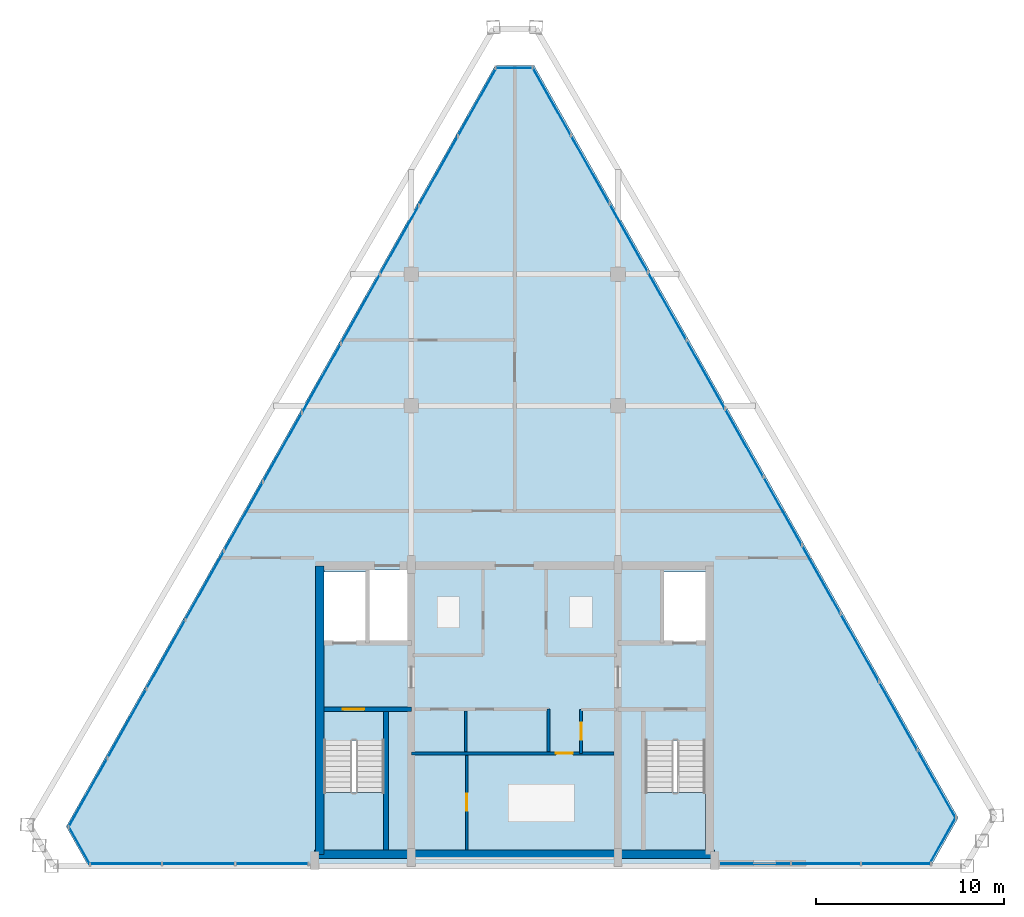
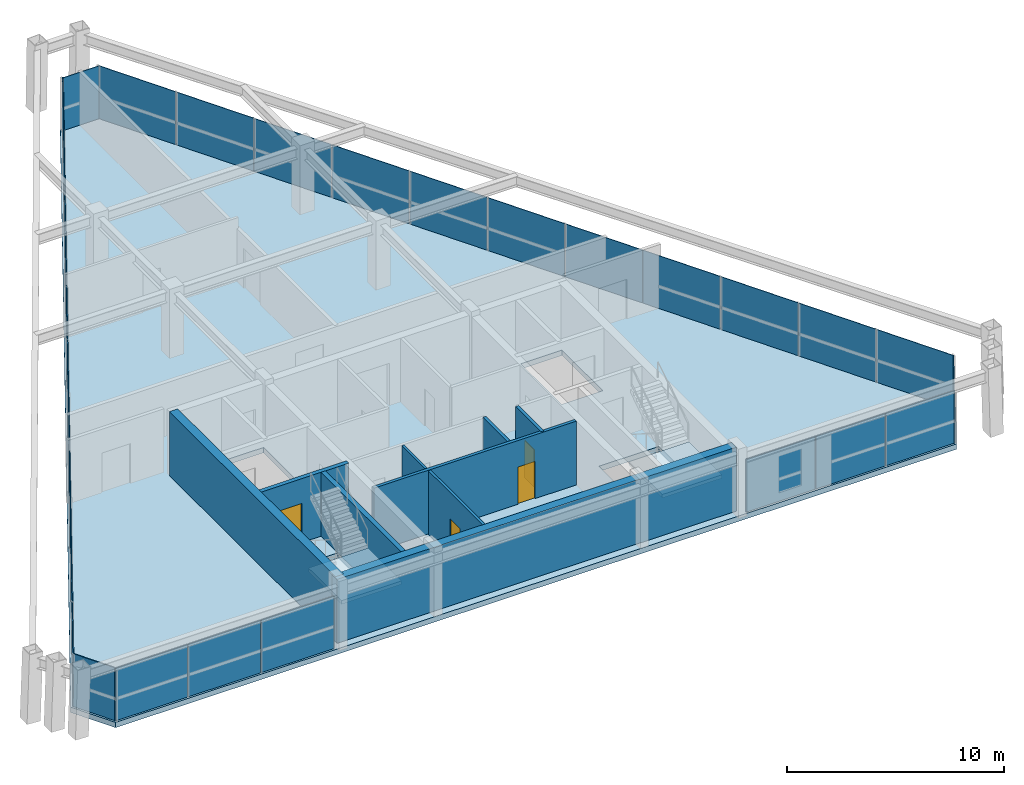
# One storey, part 9 of 12: 31 plates, 9 walls, 4 doors, 3 slabs, 4 openings, 9 elements without a shape of their own.
"""IFC4 building model written with IfcOpenShell, lengths in metres."""

from ifc_helpers import new_model, si_unit, direction, frame, frame_2d, origin, origin_2d, place, context, subcontext, project, spatial, polyline, rectangle, outline, extrude, source, transform, mapped, material, layer, layer_set, type_object, type_shapes, element, fill, aggregate, save


model = new_model("IFC4")

# Units and contexts
model_context = context("Model", 3, precision=1e-05, world=origin(), true_north=direction((0.0, 1.0)))
body_context = subcontext(model_context, "Body", "Model", "MODEL_VIEW")
ifc_project = project(units=[si_unit("LENGTHUNIT", "METRE"), si_unit("AREAUNIT", "SQUARE_METRE"), si_unit("VOLUMEUNIT", "CUBIC_METRE"), si_unit("PLANEANGLEUNIT", "RADIAN"), si_unit("MASSUNIT", "GRAM", prefix="KILO")], contexts=[model_context])

# Site, building, storey
site_placement = place(None, origin())
site = spatial("IfcSite", under=ifc_project, at=site_placement, CompositionType="ELEMENT")
building_placement = place(site_placement, origin())
building = spatial("IfcBuilding", under=site, at=building_placement, Name="Varnakhor Terracotta Tower", CompositionType="ELEMENT")
storey_placement = place(building_placement, frame((0.0, 0.0, 321.39990234375)))
storey = spatial("IfcBuildingStorey", under=building, at=storey_placement, Name="L84 Crown", CompositionType="ELEMENT", Elevation=321.39990234375)

# Stair, slab
ifc_material_1 = material(Name="Concrete C40/50", Category="concrete")
stair_type = type_object("IfcStairType", Name="STR-CORE-HOTEL-1500", PredefinedType="HALF_TURN_STAIR", material=ifc_material_1)
stair_1_placement = place(storey_placement, origin())
stair_1 = element("IfcStair", 1, at=stair_1_placement, inside=storey, type_object=stair_type, Name="L84 Crown Core Exit Stair ST-1", PredefinedType="HALF_TURN_STAIR")
ifc_layer_1 = layer(ifc_material_1, 0.179931640625, Name="Concrete C40/50")
ifc_layer_set_1 = layer_set([ifc_layer_1], Name="Concrete C40/50")
slab_type_1 = type_object("IfcSlabType", Name="SLB-LANDING-180", PredefinedType="LANDING", material=ifc_layer_set_1)
slab_1_placement = place(storey_placement, frame((0.0, 0.0, 1.75)))
slab_1 = element("IfcSlab", 2, at=slab_1_placement, type_object=slab_type_1, Name="ST-1 landing 1", PredefinedType="LANDING", context=body_context, shape_type="SweptSolid", body=[
    extrude(outline(polyline([(-10.14990234375, 3.909912109375), (-10.14990234375, 0.85009765625), (-6.949951171875, 0.85009765625), (-6.949951171875, 3.909912109375), (-10.14990234375, 3.909912109375)])), origin(), (0.0, 0.0, 1.0), 0.2001953125),
])
aggregate(stair_1, [slab_1])

stair_2_placement = place(storey_placement, origin())
stair_2 = element("IfcStair", 3, at=stair_2_placement, inside=storey, type_object=stair_type, Name="L84 Crown Core Exit Stair ST-2", PredefinedType="HALF_TURN_STAIR")
slab_2_placement = place(storey_placement, frame((0.0, 0.0, 1.75)))
slab_2 = element("IfcSlab", 4, at=slab_2_placement, type_object=slab_type_1, Name="ST-2 landing 1", PredefinedType="LANDING", context=body_context, shape_type="SweptSolid", body=[
    extrude(outline(polyline([(6.949951171875, 3.909912109375), (6.949951171875, 0.85009765625), (10.14990234375, 0.85009765625), (10.14990234375, 3.909912109375), (6.949951171875, 3.909912109375)])), origin(), (0.0, 0.0, 1.0), 0.2001953125),
])
aggregate(stair_2, [slab_2])

# Slab
ifc_layer_2 = layer(ifc_material_1, 0.300048828125, Name="Concrete C40/50")
ifc_layer_set_2 = layer_set([ifc_layer_2], Name="Concrete C40/50")
slab_type_2 = type_object("IfcSlabType", Name="SLB-PLANT-300", PredefinedType="FLOOR", material=ifc_layer_set_2)
slab_3_placement = place(storey_placement, frame((0.0, 0.0, -0.2998046875)))
element("IfcSlab", 5, at=slab_3_placement, inside=storey, type_object=slab_type_2, Name="L84 Crown Structural Floor Slab", PredefinedType="FLOOR", context=body_context, shape_type="SweptSolid", body=[
    extrude(outline(polyline([(-1.039794921875, 42.60498046875), (1.039794921875, 42.60498046875), (23.607177734375, 2.56689453125), (22.160400390625, 0.0), (-22.6865234375, 0.0), (-23.870361328125, 2.10009765625), (-1.039794921875, 42.60498046875)]), holes=[polyline([(-6.949951171875, 6.695068359375), (-10.14990234375, 6.695068359375), (-10.14990234375, 0.85009765625), (-6.949951171875, 0.85009765625), (-6.949951171875, 6.695068359375)]), polyline([(10.14990234375, 6.695068359375), (6.949951171875, 6.695068359375), (6.949951171875, 0.85009765625), (10.14990234375, 0.85009765625), (10.14990234375, 6.695068359375)]), polyline([(-7.949951171875, 15.64990234375), (-10.14990234375, 15.64990234375), (-10.14990234375, 11.8798828125), (-7.949951171875, 11.8798828125), (-7.949951171875, 15.64990234375)]), polyline([(10.14990234375, 11.8798828125), (10.14990234375, 15.64990234375), (7.949951171875, 15.64990234375), (7.949951171875, 11.8798828125), (10.14990234375, 11.8798828125)]), polyline([(-5.699951171875, 11.8798828125), (-5.699951171875, 15.75), (-7.72998046875, 15.75), (-7.72998046875, 11.8798828125), (-5.699951171875, 11.8798828125)])]), origin(), (0.0, 0.0, 1.0), 0.2998046875),
])

# Curtain wall, plates
ifc_material_2 = material(Name="Anodised Aluminium Curtain Wall System", Category="aluminium")
curtain_wall_type = type_object("IfcCurtainWallType", Name="CW-SYS-CROWN", PredefinedType="NOTDEFINED", material=ifc_material_2)
curtain_wall_1_placement = place(storey_placement, origin())
curtain_wall_1 = element("IfcCurtainWall", 6, at=curtain_wall_1_placement, inside=storey, type_object=curtain_wall_type, Name="L84 Crown Facet Curtain Wall 1", PredefinedType="NOTDEFINED")
ifc_material_3 = material(Name="Solar-Control Low-E Insulated Glass Panel", Category="glass")
ifc_layer_3 = layer(ifc_material_3, 0.0400390625, Name="Solar-Control Low-E Insulated Glass Panel")
ifc_layer_set_3 = layer_set([ifc_layer_3], Name="Solar-Control Low-E Insulated Glass Panel")
plate_type = type_object("IfcPlateType", Name="CWP-06", PredefinedType="CURTAIN_PANEL", material=ifc_layer_set_3)
shared_shape_1 = source(origin(), body_context, "Body", "SweptSolid", [
    extrude(rectangle(XDim=4.181396484375, YDim=0.035888671875, at=origin_2d()), origin(), (0.0, 0.0, 1.0), 2.97998046875),
])
plate_1_placement = place(storey_placement, frame((-22.714599609375, 3.90625, 0.0), z_axis=(0.0, 0.0, 1.0), x_axis=(0.491025393225, 0.871145259534, 0.0)))
plate_1 = element("IfcPlate", 7, at=plate_1_placement, type_object=plate_type, Name="L84 Crown Facet Curtain Wall 1 Glazed Panel 1", PredefinedType="CURTAIN_PANEL", context=body_context, shape_type="MappedRepresentation", body=[
    mapped(shared_shape_1, transform((0.0, 0.0, 0.0), scale=1.0)),
])
plate_2_placement = place(storey_placement, frame((-20.641845703125, 7.583740234375, 0.0), z_axis=(0.0, 0.0, 1.0), x_axis=(0.491025393225, 0.871145259534, 0.0)))
plate_2 = element("IfcPlate", 8, at=plate_2_placement, type_object=plate_type, Name="L84 Crown Facet Curtain Wall 1 Glazed Panel 2", PredefinedType="CURTAIN_PANEL", context=body_context, shape_type="MappedRepresentation", body=[
    mapped(shared_shape_1, transform((0.0, 0.0, 0.0), scale=1.0)),
])
plate_3_placement = place(storey_placement, frame((-18.569091796875, 11.26123046875, 0.0), z_axis=(0.0, 0.0, 1.0), x_axis=(0.491025393225, 0.871145259534, 0.0)))
plate_3 = element("IfcPlate", 9, at=plate_3_placement, type_object=plate_type, Name="L84 Crown Facet Curtain Wall 1 Glazed Panel 3", PredefinedType="CURTAIN_PANEL", context=body_context, shape_type="MappedRepresentation", body=[
    mapped(shared_shape_1, transform((0.0, 0.0, 0.0), scale=1.0)),
])
plate_4_placement = place(storey_placement, frame((-16.49609375, 14.938720703125, 0.0), z_axis=(0.0, 0.0, 1.0), x_axis=(0.491025393225, 0.871145259534, 0.0)))
plate_4 = element("IfcPlate", 10, at=plate_4_placement, type_object=plate_type, Name="L84 Crown Facet Curtain Wall 1 Glazed Panel 4", PredefinedType="CURTAIN_PANEL", context=body_context, shape_type="MappedRepresentation", body=[
    mapped(shared_shape_1, transform((0.0, 0.0, 0.0), scale=1.0)),
])
plate_5_placement = place(storey_placement, frame((-14.42333984375, 18.6162109375, 0.0), z_axis=(0.0, 0.0, 1.0), x_axis=(0.491025393225, 0.871145259534, 0.0)))
plate_5 = element("IfcPlate", 11, at=plate_5_placement, type_object=plate_type, Name="L84 Crown Facet Curtain Wall 1 Glazed Panel 5", PredefinedType="CURTAIN_PANEL", context=body_context, shape_type="MappedRepresentation", body=[
    mapped(shared_shape_1, transform((0.0, 0.0, 0.0), scale=1.0)),
])
plate_6_placement = place(storey_placement, frame((-12.3505859375, 22.293701171875, 0.0), z_axis=(0.0, 0.0, 1.0), x_axis=(0.491025393225, 0.871145259534, 0.0)))
plate_6 = element("IfcPlate", 12, at=plate_6_placement, type_object=plate_type, Name="L84 Crown Facet Curtain Wall 1 Glazed Panel 6", PredefinedType="CURTAIN_PANEL", context=body_context, shape_type="MappedRepresentation", body=[
    mapped(shared_shape_1, transform((0.0, 0.0, 0.0), scale=1.0)),
])
plate_7_placement = place(storey_placement, frame((-10.277587890625, 25.97119140625, 0.0), z_axis=(0.0, 0.0, 1.0), x_axis=(0.491025393225, 0.871145259534, 0.0)))
plate_7 = element("IfcPlate", 13, at=plate_7_placement, type_object=plate_type, Name="L84 Crown Facet Curtain Wall 1 Glazed Panel 7", PredefinedType="CURTAIN_PANEL", context=body_context, shape_type="MappedRepresentation", body=[
    mapped(shared_shape_1, transform((0.0, 0.0, 0.0), scale=1.0)),
])
plate_8_placement = place(storey_placement, frame((-8.204833984375, 29.648681640625, 0.0), z_axis=(0.0, 0.0, 1.0), x_axis=(0.491025393225, 0.871145259534, 0.0)))
plate_8 = element("IfcPlate", 14, at=plate_8_placement, type_object=plate_type, Name="L84 Crown Facet Curtain Wall 1 Glazed Panel 8", PredefinedType="CURTAIN_PANEL", context=body_context, shape_type="MappedRepresentation", body=[
    mapped(shared_shape_1, transform((0.0, 0.0, 0.0), scale=1.0)),
])
plate_9_placement = place(storey_placement, frame((-6.132080078125, 33.326416015625, 0.0), z_axis=(0.0, 0.0, 1.0), x_axis=(0.491025393225, 0.871145259534, 0.0)))
plate_9 = element("IfcPlate", 15, at=plate_9_placement, type_object=plate_type, Name="L84 Crown Facet Curtain Wall 1 Glazed Panel 9", PredefinedType="CURTAIN_PANEL", context=body_context, shape_type="MappedRepresentation", body=[
    mapped(shared_shape_1, transform((0.0, 0.0, 0.0), scale=1.0)),
])
plate_10_placement = place(storey_placement, frame((-4.05908203125, 37.003662109375, 0.0), z_axis=(0.0, 0.0, 1.0), x_axis=(0.491025393225, 0.871145259534, 0.0)))
plate_10 = element("IfcPlate", 16, at=plate_10_placement, type_object=plate_type, Name="L84 Crown Facet Curtain Wall 1 Glazed Panel 10", PredefinedType="CURTAIN_PANEL", context=body_context, shape_type="MappedRepresentation", body=[
    mapped(shared_shape_1, transform((0.0, 0.0, 0.0), scale=1.0)),
])
plate_11_placement = place(storey_placement, frame((-1.986328125, 40.681396484375, 0.0), z_axis=(0.0, 0.0, 1.0), x_axis=(0.491025393225, 0.871145259534, 0.0)))
plate_11 = element("IfcPlate", 17, at=plate_11_placement, type_object=plate_type, Name="L84 Crown Facet Curtain Wall 1 Glazed Panel 11", PredefinedType="CURTAIN_PANEL", context=body_context, shape_type="MappedRepresentation", body=[
    mapped(shared_shape_1, transform((0.0, 0.0, 0.0), scale=1.0)),
])
aggregate(curtain_wall_1, [plate_1, plate_2, plate_3, plate_4, plate_5, plate_6, plate_7, plate_8, plate_9, plate_10, plate_11])

# Curtain wall, plate
curtain_wall_2_placement = place(storey_placement, origin())
curtain_wall_2 = element("IfcCurtainWall", 18, at=curtain_wall_2_placement, inside=storey, type_object=curtain_wall_type, Name="L84 Crown Facet Curtain Wall 2", PredefinedType="NOTDEFINED")
shared_shape_2 = source(origin(), body_context, "Body", "SweptSolid", [
    extrude(rectangle(XDim=1.9794921875, YDim=0.035888671875, at=origin_2d()), origin(), (0.0, 0.0, 1.0), 2.97998046875),
])
plate_12_placement = place(storey_placement, frame((0.0, 42.485107421875, 0.0), z_axis=(0.0, 0.0, 1.0), x_axis=(1.0, 0.0, 0.0)))
plate_12 = element("IfcPlate", 19, at=plate_12_placement, type_object=plate_type, Name="L84 Crown Facet Curtain Wall 2 Glazed Panel 1", PredefinedType="CURTAIN_PANEL", context=body_context, shape_type="MappedRepresentation", body=[
    mapped(shared_shape_2, transform((0.0, 0.0, 0.0), scale=1.0)),
])
aggregate(curtain_wall_2, [plate_12])

# Curtain wall, plates
curtain_wall_3_placement = place(storey_placement, origin())
curtain_wall_3 = element("IfcCurtainWall", 20, at=curtain_wall_3_placement, inside=storey, type_object=curtain_wall_type, Name="L84 Crown Facet Curtain Wall 3", PredefinedType="NOTDEFINED")
shared_shape_3 = source(origin(), body_context, "Body", "SweptSolid", [
    extrude(rectangle(XDim=4.1328125, YDim=0.035888671875, at=origin_2d()), origin(), (0.0, 0.0, 1.0), 2.97998046875),
])
plate_13_placement = place(storey_placement, frame((1.974365234375, 40.702392578125, 0.0), z_axis=(0.0, 0.0, 1.0), x_axis=(0.491025393225, -0.871145259534, 0.0)))
plate_13 = element("IfcPlate", 21, at=plate_13_placement, type_object=plate_type, Name="L84 Crown Facet Curtain Wall 3 Glazed Panel 1", PredefinedType="CURTAIN_PANEL", context=body_context, shape_type="MappedRepresentation", body=[
    mapped(shared_shape_3, transform((0.0, 0.0, 0.0), scale=1.0)),
])
plate_14_placement = place(storey_placement, frame((4.023193359375, 37.0673828125, 0.0), z_axis=(0.0, 0.0, 1.0), x_axis=(0.491025393225, -0.871145259534, 0.0)))
plate_14 = element("IfcPlate", 22, at=plate_14_placement, type_object=plate_type, Name="L84 Crown Facet Curtain Wall 3 Glazed Panel 2", PredefinedType="CURTAIN_PANEL", context=body_context, shape_type="MappedRepresentation", body=[
    mapped(shared_shape_3, transform((0.0, 0.0, 0.0), scale=1.0)),
])
plate_15_placement = place(storey_placement, frame((6.072021484375, 33.432373046875, 0.0), z_axis=(0.0, 0.0, 1.0), x_axis=(0.491025393225, -0.871145259534, 0.0)))
plate_15 = element("IfcPlate", 23, at=plate_15_placement, type_object=plate_type, Name="L84 Crown Facet Curtain Wall 3 Glazed Panel 3", PredefinedType="CURTAIN_PANEL", context=body_context, shape_type="MappedRepresentation", body=[
    mapped(shared_shape_3, transform((0.0, 0.0, 0.0), scale=1.0)),
])
plate_16_placement = place(storey_placement, frame((8.12109375, 29.797119140625, 0.0), z_axis=(0.0, 0.0, 1.0), x_axis=(0.491025393225, -0.871145259534, 0.0)))
plate_16 = element("IfcPlate", 24, at=plate_16_placement, type_object=plate_type, Name="L84 Crown Facet Curtain Wall 3 Glazed Panel 4", PredefinedType="CURTAIN_PANEL", context=body_context, shape_type="MappedRepresentation", body=[
    mapped(shared_shape_3, transform((0.0, 0.0, 0.0), scale=1.0)),
])
plate_17_placement = place(storey_placement, frame((10.169921875, 26.162109375, 0.0), z_axis=(0.0, 0.0, 1.0), x_axis=(0.491025393225, -0.871145259534, 0.0)))
plate_17 = element("IfcPlate", 25, at=plate_17_placement, type_object=plate_type, Name="L84 Crown Facet Curtain Wall 3 Glazed Panel 5", PredefinedType="CURTAIN_PANEL", context=body_context, shape_type="MappedRepresentation", body=[
    mapped(shared_shape_3, transform((0.0, 0.0, 0.0), scale=1.0)),
])
plate_18_placement = place(storey_placement, frame((12.218994140625, 22.527099609375, 0.0), z_axis=(0.0, 0.0, 1.0), x_axis=(0.491025393225, -0.871145259534, 0.0)))
plate_18 = element("IfcPlate", 26, at=plate_18_placement, type_object=plate_type, Name="L84 Crown Facet Curtain Wall 3 Glazed Panel 6", PredefinedType="CURTAIN_PANEL", context=body_context, shape_type="MappedRepresentation", body=[
    mapped(shared_shape_3, transform((0.0, 0.0, 0.0), scale=1.0)),
])
plate_19_placement = place(storey_placement, frame((14.267822265625, 18.89208984375, 0.0), z_axis=(0.0, 0.0, 1.0), x_axis=(0.491025393225, -0.871145259534, 0.0)))
plate_19 = element("IfcPlate", 27, at=plate_19_placement, type_object=plate_type, Name="L84 Crown Facet Curtain Wall 3 Glazed Panel 7", PredefinedType="CURTAIN_PANEL", context=body_context, shape_type="MappedRepresentation", body=[
    mapped(shared_shape_3, transform((0.0, 0.0, 0.0), scale=1.0)),
])
plate_20_placement = place(storey_placement, frame((16.316650390625, 15.2568359375, 0.0), z_axis=(0.0, 0.0, 1.0), x_axis=(0.491025393225, -0.871145259534, 0.0)))
plate_20 = element("IfcPlate", 28, at=plate_20_placement, type_object=plate_type, Name="L84 Crown Facet Curtain Wall 3 Glazed Panel 8", PredefinedType="CURTAIN_PANEL", context=body_context, shape_type="MappedRepresentation", body=[
    mapped(shared_shape_3, transform((0.0, 0.0, 0.0), scale=1.0)),
])
plate_21_placement = place(storey_placement, frame((18.36572265625, 11.621826171875, 0.0), z_axis=(0.0, 0.0, 1.0), x_axis=(0.491025393225, -0.871145259534, 0.0)))
plate_21 = element("IfcPlate", 29, at=plate_21_placement, type_object=plate_type, Name="L84 Crown Facet Curtain Wall 3 Glazed Panel 9", PredefinedType="CURTAIN_PANEL", context=body_context, shape_type="MappedRepresentation", body=[
    mapped(shared_shape_3, transform((0.0, 0.0, 0.0), scale=1.0)),
])
plate_22_placement = place(storey_placement, frame((20.41455078125, 7.98681640625, 0.0), z_axis=(0.0, 0.0, 1.0), x_axis=(0.491025393225, -0.871145259534, 0.0)))
plate_22 = element("IfcPlate", 30, at=plate_22_placement, type_object=plate_type, Name="L84 Crown Facet Curtain Wall 3 Glazed Panel 10", PredefinedType="CURTAIN_PANEL", context=body_context, shape_type="MappedRepresentation", body=[
    mapped(shared_shape_3, transform((0.0, 0.0, 0.0), scale=1.0)),
])
plate_23_placement = place(storey_placement, frame((22.46337890625, 4.351806640625, 0.0), z_axis=(0.0, 0.0, 1.0), x_axis=(0.491025393225, -0.871145259534, 0.0)))
plate_23 = element("IfcPlate", 31, at=plate_23_placement, type_object=plate_type, Name="L84 Crown Facet Curtain Wall 3 Glazed Panel 11", PredefinedType="CURTAIN_PANEL", context=body_context, shape_type="MappedRepresentation", body=[
    mapped(shared_shape_3, transform((0.0, 0.0, 0.0), scale=1.0)),
])
aggregate(curtain_wall_3, [plate_13, plate_14, plate_15, plate_16, plate_17, plate_18, plate_19, plate_20, plate_21, plate_22, plate_23])

# Curtain wall, plate
curtain_wall_4_placement = place(storey_placement, origin())
curtain_wall_4 = element("IfcCurtainWall", 32, at=curtain_wall_4_placement, inside=storey, type_object=curtain_wall_type, Name="L84 Crown Facet Curtain Wall 4", PredefinedType="NOTDEFINED")
shared_shape_4 = source(origin(), body_context, "Body", "SweptSolid", [
    extrude(rectangle(XDim=2.8466796875, YDim=0.035888671875, at=origin_2d()), origin(), (0.0, 0.0, 1.0), 2.97998046875),
])
plate_24_placement = place(storey_placement, frame((22.779296875, 1.342529296875, 0.0), z_axis=(0.0, 0.0, 1.0), x_axis=(-0.491025393225, -0.871145259534, 0.0)))
plate_24 = element("IfcPlate", 33, at=plate_24_placement, type_object=plate_type, Name="L84 Crown Facet Curtain Wall 4 Glazed Panel 1", PredefinedType="CURTAIN_PANEL", context=body_context, shape_type="MappedRepresentation", body=[
    mapped(shared_shape_4, transform((0.0, 0.0, 0.0), scale=1.0)),
])
aggregate(curtain_wall_4, [plate_24])

# Curtain wall, plates
curtain_wall_5_placement = place(storey_placement, origin())
curtain_wall_5 = element("IfcCurtainWall", 34, at=curtain_wall_5_placement, inside=storey, type_object=curtain_wall_type, Name="L84 Crown South Wing Curtain Wall SSE", PredefinedType="NOTDEFINED")
shared_shape_5 = source(origin(), body_context, "Body", "SweptSolid", [
    extrude(rectangle(XDim=3.686767578125, YDim=0.035888671875, at=origin_2d()), origin(), (0.0, 0.0, 1.0), 2.97998046875),
])
plate_25_placement = place(storey_placement, frame((20.286865234375, 0.1201171875, 0.0), z_axis=(0.0, 0.0, 1.0), x_axis=(-1.0, 0.0, 0.0)))
plate_25 = element("IfcPlate", 35, at=plate_25_placement, type_object=plate_type, Name="L84 Crown South Wing Curtain Wall SSE Glazed Panel 1", PredefinedType="CURTAIN_PANEL", context=body_context, shape_type="MappedRepresentation", body=[
    mapped(shared_shape_5, transform((0.0, 0.0, 0.0), scale=1.0)),
])
plate_26_placement = place(storey_placement, frame((16.560302734375, 0.1201171875, 0.0), z_axis=(0.0, 0.0, 1.0), x_axis=(-1.0, 0.0, 0.0)))
plate_26 = element("IfcPlate", 36, at=plate_26_placement, type_object=plate_type, Name="L84 Crown South Wing Curtain Wall SSE Glazed Panel 2", PredefinedType="CURTAIN_PANEL", context=body_context, shape_type="MappedRepresentation", body=[
    mapped(shared_shape_5, transform((0.0, 0.0, 0.0), scale=1.0)),
])
plate_27_placement = place(storey_placement, frame((12.83349609375, 0.1201171875, 0.0), z_axis=(0.0, 0.0, 1.0), x_axis=(-1.0, 0.0, 0.0)))
plate_27 = element("IfcPlate", 37, at=plate_27_placement, type_object=plate_type, Name="L84 Crown South Wing Curtain Wall SSE Glazed Panel 3", PredefinedType="CURTAIN_PANEL", context=body_context, shape_type="MappedRepresentation", body=[
    mapped(shared_shape_5, transform((0.0, 0.0, 0.0), scale=1.0)),
])
aggregate(curtain_wall_5, [plate_25, plate_26, plate_27])

curtain_wall_6_placement = place(storey_placement, origin())
curtain_wall_6 = element("IfcCurtainWall", 38, at=curtain_wall_6_placement, inside=storey, type_object=curtain_wall_type, Name="L84 Crown South Wing Curtain Wall SSW", PredefinedType="NOTDEFINED")
shared_shape_6 = source(origin(), body_context, "Body", "SweptSolid", [
    extrude(rectangle(XDim=3.8623046875, YDim=0.035888671875, at=origin_2d()), origin(), (0.0, 0.0, 1.0), 2.97998046875),
])
plate_28_placement = place(storey_placement, frame((-12.921142578125, 0.1201171875, 0.0), z_axis=(0.0, 0.0, 1.0), x_axis=(-1.0, 0.0, 0.0)))
plate_28 = element("IfcPlate", 39, at=plate_28_placement, type_object=plate_type, Name="L84 Crown South Wing Curtain Wall SSW Glazed Panel 1", PredefinedType="CURTAIN_PANEL", context=body_context, shape_type="MappedRepresentation", body=[
    mapped(shared_shape_6, transform((0.0, 0.0, 0.0), scale=1.0)),
])
plate_29_placement = place(storey_placement, frame((-20.725341796875, 0.1201171875, 0.0), z_axis=(0.0, 0.0, 1.0), x_axis=(-1.0, 0.0, 0.0)))
plate_29 = element("IfcPlate", 40, at=plate_29_placement, type_object=plate_type, Name="L84 Crown South Wing Curtain Wall SSW Glazed Panel 3", PredefinedType="CURTAIN_PANEL", context=body_context, shape_type="MappedRepresentation", body=[
    mapped(shared_shape_6, transform((0.0, 0.0, 0.0), scale=1.0)),
])
shared_shape_7 = source(origin(), body_context, "Body", "SweptSolid", [
    extrude(rectangle(XDim=3.862060546875, YDim=0.035888671875, at=origin_2d()), origin(), (0.0, 0.0, 1.0), 2.97998046875),
])
plate_30_placement = place(storey_placement, frame((-16.8232421875, 0.1201171875, 0.0), z_axis=(0.0, 0.0, 1.0), x_axis=(-1.0, 0.0, 0.0)))
plate_30 = element("IfcPlate", 41, at=plate_30_placement, type_object=plate_type, Name="L84 Crown South Wing Curtain Wall SSW Glazed Panel 2", PredefinedType="CURTAIN_PANEL", context=body_context, shape_type="MappedRepresentation", body=[
    mapped(shared_shape_7, transform((0.0, 0.0, 0.0), scale=1.0)),
])
aggregate(curtain_wall_6, [plate_28, plate_30, plate_29])

# Curtain wall, plate
curtain_wall_7_placement = place(storey_placement, origin())
curtain_wall_7 = element("IfcCurtainWall", 42, at=curtain_wall_7_placement, inside=storey, type_object=curtain_wall_type, Name="L84 Crown Facet Curtain Wall 6", PredefinedType="NOTDEFINED")
shared_shape_8 = source(origin(), body_context, "Body", "SweptSolid", [
    extrude(rectangle(XDim=2.310791015625, YDim=0.035888671875, at=origin_2d()), origin(), (0.0, 0.0, 1.0), 2.97998046875),
])
plate_31_placement = place(storey_placement, frame((-23.173828125, 1.109130859375, 0.0), z_axis=(0.0, 0.0, 1.0), x_axis=(-0.491025393225, 0.871145259534, 0.0)))
plate_31 = element("IfcPlate", 43, at=plate_31_placement, type_object=plate_type, Name="L84 Crown Facet Curtain Wall 6 Glazed Panel 1", PredefinedType="CURTAIN_PANEL", context=body_context, shape_type="MappedRepresentation", body=[
    mapped(shared_shape_8, transform((0.0, 0.0, 0.0), scale=1.0)),
])
aggregate(curtain_wall_7, [plate_31])

# Walls
ifc_material_4 = material(Name="Concrete C50/60", Category="concrete")
ifc_layer_4 = layer(ifc_material_4, 0.449951171875, Name="Concrete C50/60")
ifc_layer_set_4 = layer_set([ifc_layer_4], Name="Concrete C50/60")
wall_type_1 = type_object("IfcWallType", Name="WAL-CORE-450", PredefinedType="SHEAR", material=ifc_layer_set_4)
wall_1_placement = place(storey_placement, frame((-10.64990234375, 0.625, 0.0), z_axis=(0.0, 0.0, 1.0), x_axis=(1.0, 0.0, 0.0)))
element("IfcWall", 44, at=wall_1_placement, inside=storey, type_object=wall_type_1, Name="L84 Crown South Core Shear Wall", PredefinedType="SHEAR", context=body_context, shape_type="SweptSolid", body=[
    extrude(rectangle(XDim=21.2998046875, YDim=0.449951171875, at=frame_2d((10.64990234375, 0.0))), origin(), (0.0, 0.0, 1.0), 3.60009765625),
])
wall_2_placement = place(storey_placement, frame((-10.375, 0.625, 0.0), z_axis=(0.0, 0.0, 1.0), x_axis=(0.0, 1.0, 0.0)))
element("IfcWall", 45, at=wall_2_placement, inside=storey, type_object=wall_type_1, Name="L84 Crown West Core Shear Wall", PredefinedType="SHEAR", context=body_context, shape_type="SweptSolid", body=[
    extrude(rectangle(XDim=15.35009765625, YDim=0.449951171875, at=frame_2d((7.675048828125, 0.0))), origin(), (0.0, 0.0, 1.0), 3.60009765625),
])

# Wall, opening, door
ifc_layer_5 = layer(ifc_material_1, 0.219970703125, Name="Concrete C40/50")
ifc_layer_set_5 = layer_set([ifc_layer_5], Name="Concrete C40/50")
wall_type_2 = type_object("IfcWallType", Name="WAL-FFLOBBY-220", PredefinedType="SOLIDWALL", material=ifc_layer_set_5)
wall_3_placement = place(storey_placement, frame((-5.5, 8.35009765625, 0.0), z_axis=(0.0, 0.0, 1.0), x_axis=(-1.0, 0.0, 0.0)))
wall_3 = element("IfcWall", 46, at=wall_3_placement, inside=storey, type_object=wall_type_2, Name="L84 Crown West Firefighting Lobby Stair Wall", PredefinedType="SOLIDWALL", context=body_context, shape_type="SweptSolid", body=[
    extrude(rectangle(XDim=4.64990234375, YDim=0.219970703125, at=frame_2d((2.324951171875, 0.0))), origin(), (0.0, 0.0, 1.0), 3.60009765625),
])
opening_1_placement = place(wall_3_placement, frame((2.5, 0.0, 0.0)))
opening_1 = element("IfcOpeningElement", 47, at=opening_1_placement, cuts=wall_3, Name="Opening DR-34", PredefinedType="OPENING", context=body_context, shape_type="SweptSolid", body=[
    extrude(rectangle(XDim=1.14990234375, YDim=2.199951171875, at=frame_2d((0.574951171875, 1.10009765625))), frame((0.0, 0.1201171875, 0.0), z_axis=(0.0, -1.0, 0.0), x_axis=(1.0, 0.0, 0.0)), (0.0, 0.0, 1.0), 0.239990234375),
])
ifc_material_5 = material(Name="Self-Closing Smoke-Sealed Steel Fire Door", Category="steel")
door_type_1 = type_object("IfcDoorType", Name="DR-STAIR-1150X2200", OperationType="NOTDEFINED", PredefinedType="DOOR", material=ifc_material_5)
shared_shape_9 = source(origin(), body_context, "Body", "SweptSolid", [
    extrude(rectangle(XDim=1.14990234375, YDim=2.199951171875, at=frame_2d((0.574951171875, 1.10009765625))), frame((0.0, 0.02490234375, 0.0), z_axis=(0.0, -1.0, 0.0), x_axis=(1.0, 0.0, 0.0)), (0.0, 0.0, 1.0), 0.050048828125),
])
type_shapes(door_type_1, [shared_shape_9])
door_1_placement = place(opening_1_placement, origin())
door_1 = element("IfcDoor", 48, at=door_1_placement, inside=storey, type_object=door_type_1, Name="L84 Crown Exit Stair ST-1 Fire Door", OperationType="SINGLE_SWING_LEFT", OverallHeight=2.199951171875, OverallWidth=1.14990234375, PredefinedType="DOOR", context=body_context, shape_type="MappedRepresentation", body=[
    mapped(shared_shape_9, transform((0.0, 0.0, 0.0), scale=1.0)),
])
fill(opening_1, door_1)

# Walls
ifc_layer_6 = layer(ifc_material_1, 0.25, Name="Concrete C40/50")
ifc_layer_set_6 = layer_set([ifc_layer_6], Name="Concrete C40/50")
wall_type_3 = type_object("IfcWallType", Name="WAL-SHAFT-250", PredefinedType="SOLIDWALL", material=ifc_layer_set_6)
wall_4_placement = place(storey_placement, frame((-6.85009765625, 0.85009765625, 0.0), z_axis=(0.0, 0.0, 1.0), x_axis=(0.0, 1.0, 0.0)))
element("IfcWall", 49, at=wall_4_placement, inside=storey, type_object=wall_type_3, Name="L84 Crown Stair ST-1 Bearing Shaft Wall", PredefinedType="SOLIDWALL", context=body_context, shape_type="SweptSolid", body=[
    extrude(rectangle(XDim=7.5, YDim=0.25, at=frame_2d((3.75, 0.0))), origin(), (0.0, 0.0, 1.0), 3.60009765625),
])
ifc_material_6 = material(Name="Acoustic Fire-Rated Partition", Category="gypsum")
ifc_layer_7 = layer(ifc_material_6, 0.114990234375, Name="Acoustic Fire-Rated Partition")
ifc_layer_set_7 = layer_set([ifc_layer_7], Name="Acoustic Fire-Rated Partition")
wall_type_4 = type_object("IfcWallType", Name="WAL-TENANCY-115", PredefinedType="PARTITIONING", material=ifc_layer_set_7)
wall_5_placement = place(storey_placement, frame((-2.60009765625, 6.10009765625, 0.0), z_axis=(0.0, 0.0, 1.0), x_axis=(0.0, 1.0, 0.0)))
element("IfcWall", 50, at=wall_5_placement, inside=storey, type_object=wall_type_4, Name="L84 Crown Reclaimed Mid-Core Split Wall", PredefinedType="PARTITIONING", context=body_context, shape_type="SweptSolid", body=[
    extrude(rectangle(XDim=2.14990234375, YDim=0.114990234375, at=frame_2d((1.074951171875, 0.0))), origin(), (0.0, 0.0, 1.0), 3.592041015625),
])

# Wall, opening, door
ifc_layer_8 = layer(ifc_material_6, 0.139892578125, Name="Acoustic Fire-Rated Partition")
ifc_layer_set_8 = layer_set([ifc_layer_8], Name="Acoustic Fire-Rated Partition")
wall_type_5 = type_object("IfcWallType", Name="WAL-TENANCY-140", PredefinedType="PARTITIONING", material=ifc_layer_set_8)
wall_6_placement = place(storey_placement, frame((-2.550048828125, 0.85009765625, 0.0), z_axis=(0.0, 0.0, 1.0), x_axis=(0.0, 1.0, 0.0)))
wall_6 = element("IfcWall", 51, at=wall_6_placement, inside=storey, type_object=wall_type_5, Name="L84 Crown Reclaimed Core Bay Split Wall", PredefinedType="PARTITIONING", context=body_context, shape_type="SweptSolid", body=[
    extrude(rectangle(XDim=5.02978515625, YDim=0.139892578125, at=frame_2d((2.514892578125, 0.0))), origin(), (0.0, 0.0, 1.0), 3.592041015625),
])
opening_2_placement = place(wall_6_placement, frame((2.10009765625, 0.0, 0.0)))
opening_2 = element("IfcOpeningElement", 52, at=opening_2_placement, cuts=wall_6, Name="Opening DR-67", PredefinedType="OPENING", context=body_context, shape_type="SweptSolid", body=[
    extrude(rectangle(XDim=0.89990234375, YDim=2.10009765625, at=frame_2d((0.449951171875, 1.050048828125))), frame((0.0, 0.080078125, 0.0), z_axis=(0.0, -1.0, 0.0), x_axis=(1.0, 0.0, 0.0)), (0.0, 0.0, 1.0), 0.159912109375),
])
ifc_material_7 = material(Name="Steel Service Riser Fire Door", Category="steel")
door_type_2 = type_object("IfcDoorType", Name="DR-RISER-900X2100", OperationType="NOTDEFINED", PredefinedType="DOOR", material=ifc_material_7)
shared_shape_10 = source(origin(), body_context, "Body", "SweptSolid", [
    extrude(rectangle(XDim=0.89990234375, YDim=2.10009765625, at=frame_2d((0.449951171875, 1.050048828125))), frame((0.0, 0.02490234375, 0.0), z_axis=(0.0, -1.0, 0.0), x_axis=(1.0, 0.0, 0.0)), (0.0, 0.0, 1.0), 0.050048828125),
])
type_shapes(door_type_2, [shared_shape_10])
door_2_placement = place(opening_2_placement, origin())
door_2 = element("IfcDoor", 53, at=door_2_placement, inside=storey, type_object=door_type_2, Name="L84 Crown Core Inner Service Door", OperationType="SINGLE_SWING_RIGHT", OverallHeight=2.10009765625, OverallWidth=0.89990234375, PredefinedType="DOOR", context=body_context, shape_type="MappedRepresentation", body=[
    mapped(shared_shape_10, transform((0.0, 0.0, 0.0), scale=1.0)),
])
fill(opening_2, door_2)

ifc_layer_9 = layer(ifc_material_6, 0.1650390625, Name="Acoustic Fire-Rated Partition")
ifc_layer_set_9 = layer_set([ifc_layer_9], Name="Acoustic Fire-Rated Partition")
wall_type_6 = type_object("IfcWallType", Name="WAL-TENANCY-165", PredefinedType="PARTITIONING", material=ifc_layer_set_9)
wall_7_placement = place(storey_placement, frame((-5.5, 6.0, 0.0), z_axis=(0.0, 0.0, 1.0), x_axis=(1.0, 0.0, 0.0)))
wall_7 = element("IfcWall", 54, at=wall_7_placement, inside=storey, type_object=wall_type_6, Name="L84 Crown Reclaimed Core Bay North Rated Wall", PredefinedType="PARTITIONING", context=body_context, shape_type="SweptSolid", body=[
    extrude(rectangle(XDim=10.800048828125, YDim=0.1650390625, at=frame_2d((5.39990234375, 0.0))), origin(), (0.0, 0.0, 1.0), 3.592041015625),
])
opening_3_placement = place(wall_7_placement, frame((7.699951171875, 0.0, 0.0)))
opening_3 = element("IfcOpeningElement", 55, at=opening_3_placement, cuts=wall_7, Name="Opening DR-67", PredefinedType="OPENING", context=body_context, shape_type="SweptSolid", body=[
    extrude(rectangle(XDim=0.89990234375, YDim=2.10009765625, at=frame_2d((0.449951171875, 1.050048828125))), frame((0.0, 0.092529296875, 0.0), z_axis=(0.0, -1.0, 0.0), x_axis=(1.0, 0.0, 0.0)), (0.0, 0.0, 1.0), 0.18505859375),
])
door_3_placement = place(opening_3_placement, origin())
door_3 = element("IfcDoor", 56, at=door_3_placement, inside=storey, type_object=door_type_2, Name="L84 Crown Core Reclaimed Suite Door", OperationType="SINGLE_SWING_LEFT", OverallHeight=2.10009765625, OverallWidth=0.89990234375, PredefinedType="DOOR", context=body_context, shape_type="MappedRepresentation", body=[
    mapped(shared_shape_10, transform((0.0, 0.0, 0.0), scale=1.0)),
])
fill(opening_3, door_3)

wall_8_placement = place(storey_placement, frame((3.5400390625, 6.0, 0.0), z_axis=(0.0, 0.0, 1.0), x_axis=(0.0, 1.0, 0.0)))
wall_8 = element("IfcWall", 57, at=wall_8_placement, inside=storey, type_object=wall_type_6, Name="L84 Crown Accessible WC Rated Wall", PredefinedType="PARTITIONING", context=body_context, shape_type="SweptSolid", body=[
    extrude(rectangle(XDim=2.340087890625, YDim=0.1650390625, at=frame_2d((1.169921875, 0.0))), origin(), (0.0, 0.0, 1.0), 3.592041015625),
])
opening_4_placement = place(wall_8_placement, frame((0.719970703125, 0.0, 0.0)))
opening_4 = element("IfcOpeningElement", 58, at=opening_4_placement, cuts=wall_8, Name="Opening DR-67", PredefinedType="OPENING", context=body_context, shape_type="SweptSolid", body=[
    extrude(rectangle(XDim=0.89990234375, YDim=2.10009765625, at=frame_2d((0.449951171875, 1.050048828125))), frame((0.0, 0.092529296875, 0.0), z_axis=(0.0, -1.0, 0.0), x_axis=(1.0, 0.0, 0.0)), (0.0, 0.0, 1.0), 0.18505859375),
])
door_4_placement = place(opening_4_placement, origin())
door_4 = element("IfcDoor", 59, at=door_4_placement, inside=storey, type_object=door_type_2, Name="L84 Crown Accessible WC Door", OperationType="SINGLE_SWING_LEFT", OverallHeight=2.10009765625, OverallWidth=0.89990234375, PredefinedType="DOOR", context=body_context, shape_type="MappedRepresentation", body=[
    mapped(shared_shape_10, transform((0.0, 0.0, 0.0), scale=1.0)),
])
fill(opening_4, door_4)

# Wall
wall_9_placement = place(storey_placement, frame((1.800048828125, 6.10009765625, 0.0), z_axis=(0.0, 0.0, 1.0), x_axis=(0.0, 1.0, 0.0)))
element("IfcWall", 60, at=wall_9_placement, inside=storey, type_object=wall_type_6, Name="L84 Crown Reclaimed Mid-Core East Wall", PredefinedType="PARTITIONING", context=body_context, shape_type="SweptSolid", body=[
    extrude(rectangle(XDim=2.25, YDim=0.1650390625, at=frame_2d((1.125, 0.0))), origin(), (0.0, 0.0, 1.0), 3.592041015625),
])

save(model, "model.ifc")
